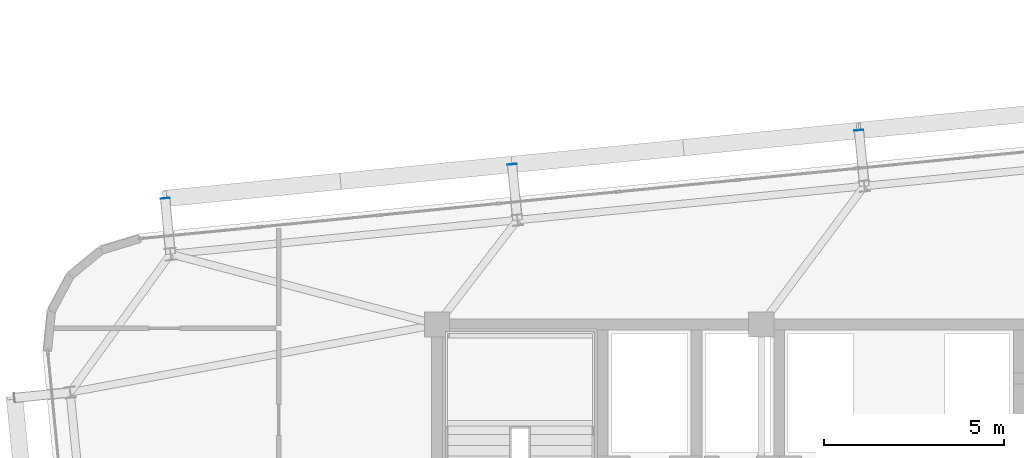
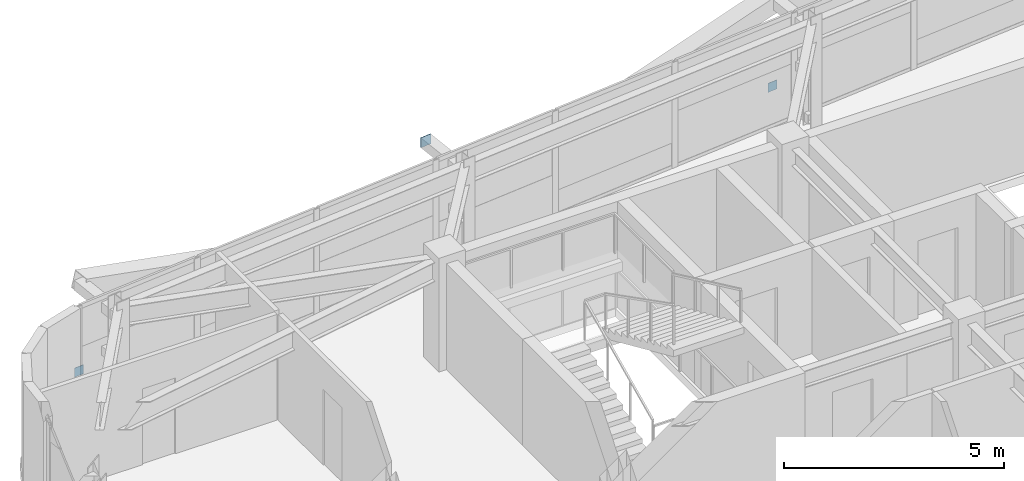
# One storey, part 43 of 53: 3 plates.
"""IFC4 building model written with IfcOpenShell, lengths in metres."""

from ifc_helpers import new_model, si_unit, direction, frame, origin, origin_2d, place, context, subcontext, project, spatial, rectangle, extrude, source, transform, mapped, material, layer, layer_set, type_object, element, save


model = new_model("IFC4")

# Units and contexts
model_context = context("Model", 3, precision=1e-05, world=origin(), true_north=direction((0.0, 1.0)))
body_context = subcontext(model_context, "Body", "Model", "MODEL_VIEW")
ifc_project = project(units=[si_unit("LENGTHUNIT", "METRE"), si_unit("AREAUNIT", "SQUARE_METRE"), si_unit("VOLUMEUNIT", "CUBIC_METRE"), si_unit("PLANEANGLEUNIT", "RADIAN"), si_unit("MASSUNIT", "GRAM", prefix="KILO")], contexts=[model_context])

# Site, building, storey
site_placement = place(None, origin())
site = spatial("IfcSite", under=ifc_project, at=site_placement, CompositionType="ELEMENT")
building_placement = place(site_placement, origin())
building = spatial("IfcBuilding", under=site, at=building_placement, Name="Taldren Reach Tower", CompositionType="ELEMENT")
storey_placement = place(building_placement, frame((0.0, 0.0, 71.39990234375)))
storey = spatial("IfcBuildingStorey", under=building, at=storey_placement, Name="L21", CompositionType="ELEMENT", Elevation=71.39990234375)

# Plates
ifc_material_1 = material(Name="Steel Gr 450 (C450L0)", Category="steel")
ifc_layer_1 = layer(ifc_material_1, 0.011962890625)
ifc_layer_set_1 = layer_set([ifc_layer_1], Name="Steel Gr 450 (C450L0)")
plate_type_1 = type_object("IfcPlateType", Name="PL-CAP-275", PredefinedType="SHEET", material=ifc_layer_set_1)
shared_shape_1 = source(origin(), body_context, "Body", "SweptSolid", [
    extrude(rectangle(XDim=0.27490234375, YDim=0.011962890625, at=origin_2d()), origin(), (0.0, 0.0, 1.0), 0.27490234375),
])
plate_placement = place(storey_placement, frame((21.078857421875, 36.449951171875, 2.5126953125), z_axis=(0.0, 0.0, 1.0), x_axis=(0.995227399982, 0.097582899759, 0.0)))
element("IfcPlate", 1, at=plate_placement, inside=storey, type_object=plate_type_1, Name="Tie strut end cap plate B2-N2 L21", PredefinedType="SHEET", context=body_context, shape_type="MappedRepresentation", body=[
    mapped(shared_shape_1, transform((0.0, 0.0, 0.0), scale=1.0)),
])
ifc_material_2 = material(Name="Steel Gr 350 (C350L0)", Category="steel")
ifc_layer_2 = layer(ifc_material_2, 0.011962890625)
ifc_layer_set_2 = layer_set([ifc_layer_2], Name="Steel Gr 350 (C350L0)")
plate_type_2 = type_object("IfcPlateType", Name="PL-CAP-250", PredefinedType="SHEET", material=ifc_layer_set_2)
shared_shape_2 = source(origin(), body_context, "Body", "SweptSolid", [
    extrude(rectangle(XDim=0.25, YDim=0.011962890625, at=origin_2d()), origin(), (0.0, 0.0, 1.0), 0.25),
])
for number, where, z_axis, x_axis, name in (
    (2, (11.445068359375, 35.50537109375, 0.09521484375), (0.0, 0.0, 1.0), (0.995227399982, 0.097582899759, 0.0), "Tie strut end cap plate B2-N1 L21"),
    (3, (30.712646484375, 37.394775390625, 0.09521484375), (0.0, 0.0, 1.0), (0.995227399982, 0.097582899759, 0.0), "Tie strut end cap plate B2-N3 L21"),
):
    element("IfcPlate", number, at=place(storey_placement, frame(where, z_axis=z_axis, x_axis=x_axis)), inside=storey, type_object=plate_type_2, Name=name, PredefinedType="SHEET", context=body_context, shape_type="MappedRepresentation", body=[
        mapped(shared_shape_2, transform((0.0, 0.0, 0.0), scale=1.0)),
    ])

save(model, "model.ifc")
